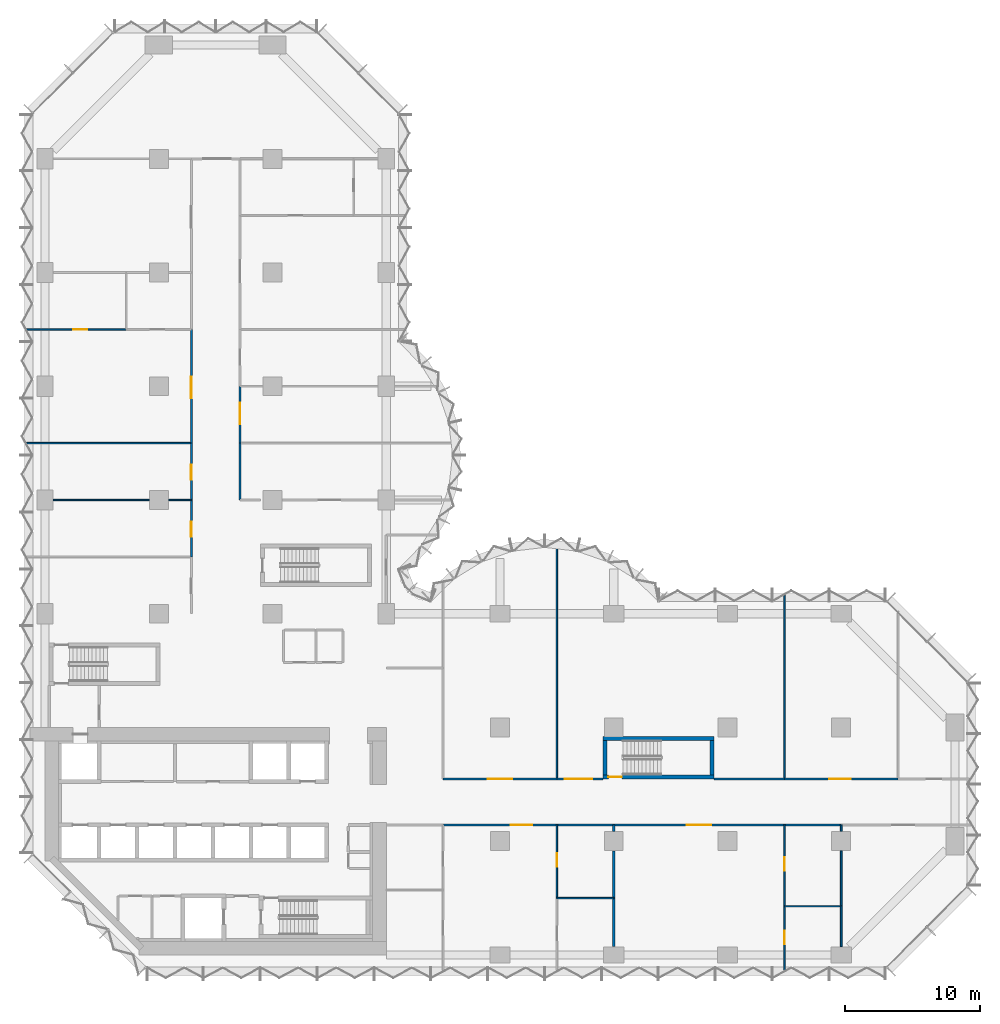
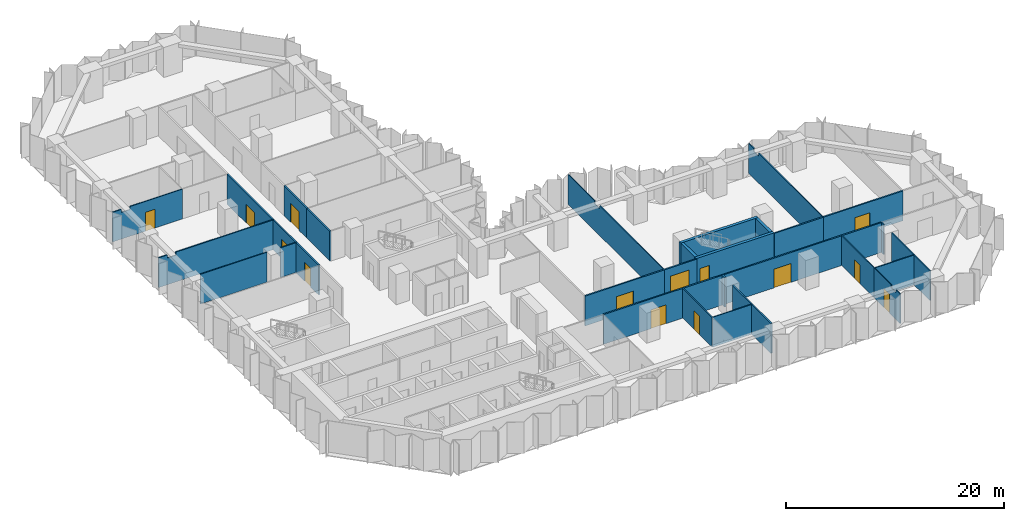
# One storey, part 10 of 15: 34 walls, 14 doors, 14 openings.
"""IFC4 building model written with IfcOpenShell, lengths in metres."""

import ifcopenshell
import ifcopenshell.guid

model = None  # the IFC model being written
_history = None  # IfcOwnerHistory: only IFC2X3 demands one
_inside = {}  # id of a spatial element -> (the spatial element, [elements in it])
_under = {}  # id of a project, library or spatial element -> (it, [spatial elements below it])
_declared = {}  # id of a project -> (the project, [libraries it declares])
_typed = {}  # id of a type object -> (the type object, [elements of that type])
_made_of = {}  # id of a material, layer set ... -> (it, [elements and type objects made of it])


def new_model(schema):
    """Start an empty IFC model of exactly this schema.

    Asked for "IFC4X3", IfcOpenShell would pick the latest addendum, in which some entities
    have other attributes; the version numbers below select the first issue.
    IFC2X3 requires an IfcOwnerHistory on every rooted entity: one is made here for all.
    """
    global model, _history
    if schema == "IFC4X3":
        model = ifcopenshell.file(schema_version=(4, 3, 0, 0))
    else:
        model = ifcopenshell.file(schema=schema)
    _inside.clear()
    _under.clear()
    _declared.clear()
    _typed.clear()
    _made_of.clear()
    _history = None
    if model.schema == "IFC2X3":
        org = make("IfcOrganization", Name="unknown")
        user = make(
            "IfcPersonAndOrganization",
            ThePerson=make("IfcPerson", FamilyName="unknown"),
            TheOrganization=org,
        )
        app = make(
            "IfcApplication",
            ApplicationDeveloper=org,
            Version="unknown",
            ApplicationFullName="unknown",
            ApplicationIdentifier="unknown",
        )
        _history = make(
            "IfcOwnerHistory",
            OwningUser=user,
            OwningApplication=app,
            ChangeAction="ADDED",
            CreationDate=0,
        )
    return model


def make(cls, **values):
    """One entity of the class cls with the attributes given. An attribute that is None is left unset."""
    return model.create_entity(
        cls, **{name: value for name, value in values.items() if value is not None}
    )


def rooted(cls, **values):
    """An entity with a GlobalId (a new one), such as an element, a storey or a relation."""
    return make(cls, GlobalId=ifcopenshell.guid.new(), OwnerHistory=_history, **values)


def si_unit(unit_type, name, prefix=None):
    """IfcSIUnit, for example si_unit("LENGTHUNIT", "METRE", prefix="MILLI")."""
    return make("IfcSIUnit", UnitType=unit_type, Prefix=prefix, Name=name)


def assignment(units):
    """IfcUnitAssignment: the units of a project."""
    return None if units is None else make("IfcUnitAssignment", Units=units)


def point(xyz):
    """IfcCartesianPoint."""
    return None if xyz is None else make("IfcCartesianPoint", Coordinates=xyz)


def direction(xyz):
    """IfcDirection."""
    return None if xyz is None else make("IfcDirection", DirectionRatios=xyz)


def frame(location, z_axis=None, x_axis=None):
    """IfcAxis2Placement3D, a coordinate frame: its origin and axes. An axis left out is left unset."""
    return make(
        "IfcAxis2Placement3D",
        Location=point(location),
        Axis=direction(z_axis),
        RefDirection=direction(x_axis),
    )


def frame_2d(location, x_axis=None):
    """IfcAxis2Placement2D, a coordinate frame in the plane: its origin and x axis."""
    return make(
        "IfcAxis2Placement2D", Location=point(location), RefDirection=direction(x_axis)
    )


def origin():
    """The frame at (0, 0, 0) with its axes left unset."""
    return frame((0.0, 0.0, 0.0))


def place(relative_to, where):
    """IfcLocalPlacement: puts the frame where relative to a parent placement (None: the world)."""
    return make(
        "IfcLocalPlacement", PlacementRelTo=relative_to, RelativePlacement=where
    )


def context(
    kind, dimensions, precision=None, world=None, true_north=None, identifier=None
):
    """IfcGeometricRepresentationContext, for example the 3D "Model" context."""
    return make(
        "IfcGeometricRepresentationContext",
        ContextIdentifier=identifier,
        ContextType=kind,
        CoordinateSpaceDimension=dimensions,
        Precision=precision,
        WorldCoordinateSystem=world,
        TrueNorth=true_north,
    )


def subcontext(parent, identifier, kind, view, scale=None):
    """IfcGeometricRepresentationSubContext, for example "Body" below "Model"."""
    return make(
        "IfcGeometricRepresentationSubContext",
        ContextIdentifier=identifier,
        ContextType=kind,
        ParentContext=parent,
        TargetScale=scale,
        TargetView=view,
    )


def project(units=None, contexts=None):
    """IfcProject with its units and contexts."""
    return rooted(
        "IfcProject",
        Name="project",
        RepresentationContexts=contexts,
        UnitsInContext=assignment(units),
    )


def spatial(cls, under=None, at=None, **own):
    """A site, building, storey or space (cls), placed at a placement, below another one or the project."""
    s = rooted(cls, ObjectPlacement=at, **own)
    if under is not None:
        _under.setdefault(under.id(), (under, []))[1].append(s)
    return s


def polyline(points):
    """IfcPolyline through the points."""
    return make("IfcPolyline", Points=[point(p) for p in points])


def profile(cls, at=None, kind="AREA", **sizes):
    """A parametric profile (cls). Its sizes go by their IFC names, for example OverallWidth=200.0."""
    return make(cls, ProfileType=kind, Position=at, **sizes)


def rectangle(**sizes):
    """IfcRectangleProfileDef."""
    return profile("IfcRectangleProfileDef", **sizes)


def outline(outer, holes=None, kind="AREA"):
    """IfcArbitraryClosedProfileDef: a profile drawn as a closed curve; with holes, ...WithVoids."""
    if holes is None:
        return make("IfcArbitraryClosedProfileDef", ProfileType=kind, OuterCurve=outer)
    return make(
        "IfcArbitraryProfileDefWithVoids",
        ProfileType=kind,
        OuterCurve=outer,
        InnerCurves=holes,
    )


def extrude(swept, where, along, depth):
    """IfcExtrudedAreaSolid: the profile swept, set in the frame where, extruded along a direction by depth."""
    return make(
        "IfcExtrudedAreaSolid",
        SweptArea=swept,
        Position=where,
        ExtrudedDirection=direction(along),
        Depth=depth,
    )


def shape(context_of_items, identifier, shape_type, items):
    """IfcShapeRepresentation: the items that make up one representation, for example the "Body"."""
    return make(
        "IfcShapeRepresentation",
        ContextOfItems=context_of_items,
        RepresentationIdentifier=identifier,
        RepresentationType=shape_type,
        Items=items,
    )


def material(Name=None, Category=None):
    """IfcMaterial."""
    return make("IfcMaterial", Name=Name, Category=Category)


def layer(
    of_material, thickness, ventilated=None, Name=None, Category=None, Priority=None
):
    """IfcMaterialLayer: one layer of a wall or slab, of a material (None: an air gap)."""
    return make(
        "IfcMaterialLayer",
        Material=of_material,
        LayerThickness=thickness,
        IsVentilated=ventilated,
        Name=Name,
        Category=Category,
        Priority=Priority,
    )


def layer_set(layers, Name=None):
    """IfcMaterialLayerSet."""
    return make("IfcMaterialLayerSet", MaterialLayers=layers, LayerSetName=Name)


def made_of(thing, what):
    """Note that an element or type object is made of a material, layer set ...; save() writes the relation."""
    if what is not None:
        _made_of.setdefault(what.id(), (what, []))[1].append(thing)
    return thing


def type_object(cls, material=None, **own):
    """A type object (cls), such as IfcWallType, which elements share."""
    return made_of(rooted(cls, **own), material)


def element(
    cls,
    number,
    at=None,
    inside=None,
    cuts=None,
    type_object=None,
    material=None,
    context=None,
    identifier="Body",
    shape_type=None,
    held_by="IfcProductDefinitionShape",
    body=None,
    shapes=None,
    **own,
):
    """One element of the class cls, such as IfcWall. Its Tag is "e" and its number.

    at: its placement. inside: the storey or other place that contains it. cuts: it is an
    opening in that element (IfcRelVoidsElement). A single representation is given by context,
    identifier, shape_type and body (its items); several are given by shapes. held_by: the class
    of the entity that holds the representations. save() writes the other relations.
    """
    e = rooted(cls, Tag="e%d" % number, ObjectPlacement=at, **own)
    if body is not None:
        shapes = [shape(context, identifier, shape_type, body)]
    if shapes is not None:
        e.Representation = make(held_by, Representations=shapes)
    if inside is not None:
        _inside.setdefault(inside.id(), (inside, []))[1].append(e)
    if cuts is not None:
        rooted(
            "IfcRelVoidsElement", RelatingBuildingElement=cuts, RelatedOpeningElement=e
        )
    if type_object is not None:
        _typed.setdefault(type_object.id(), (type_object, []))[1].append(e)
    return made_of(e, material)


def fill(opening, filler):
    """IfcRelFillsElement: the door or window that sits in an opening."""
    return rooted(
        "IfcRelFillsElement",
        RelatingOpeningElement=opening,
        RelatedBuildingElement=filler,
    )


def aggregate(whole, parts):
    """IfcRelAggregates: a whole, such as a stair, and the parts it consists of."""
    return rooted("IfcRelAggregates", RelatingObject=whole, RelatedObjects=parts)


def save(model, path):
    """Write the relations noted so far, then the file.

    IfcRelAggregates (storeys below a building ...), IfcRelContainedInSpatialStructure (elements
    in a storey), IfcRelDefinesByType, IfcRelAssociatesMaterial and IfcRelDeclares: one each for
    every whole, place, type object, material and project.
    """
    for whole, parts in _under.values():
        aggregate(whole, parts)
    for where, things in _inside.values():
        rooted(
            "IfcRelContainedInSpatialStructure",
            RelatedElements=things,
            RelatingStructure=where,
        )
    for kind, things in _typed.values():
        rooted("IfcRelDefinesByType", RelatedObjects=things, RelatingType=kind)
    for what, things in _made_of.values():
        rooted("IfcRelAssociatesMaterial", RelatedObjects=things, RelatingMaterial=what)
    for by, libraries in _declared.values():
        rooted("IfcRelDeclares", RelatingContext=by, RelatedDefinitions=libraries)
    model.write(path)


model = new_model("IFC4")

# Units and contexts
model_context = context("Model", 3, precision=1e-05, world=origin(), true_north=direction((0.0, 1.0)))
body_context = subcontext(model_context, "Body", "Model", "MODEL_VIEW")
ifc_project = project(units=[si_unit("LENGTHUNIT", "METRE"), si_unit("AREAUNIT", "SQUARE_METRE"), si_unit("VOLUMEUNIT", "CUBIC_METRE"), si_unit("PLANEANGLEUNIT", "RADIAN"), si_unit("MASSUNIT", "GRAM", prefix="KILO")], contexts=[model_context])

# Site, building, storey
site_placement = place(None, origin())
site = spatial("IfcSite", under=ifc_project, at=site_placement, CompositionType="ELEMENT")
building_placement = place(site_placement, origin())
building = spatial("IfcBuilding", under=site, at=building_placement, Name="Brevane Broadcast Tower", CompositionType="ELEMENT")
storey_placement = place(building_placement, frame((0.0, 0.0, 54.5)))
storey = spatial("IfcBuildingStorey", under=building, at=storey_placement, Name="L11", CompositionType="ELEMENT", Elevation=54.5)

# Wall, opening, door
ifc_material_1 = material(Name="Concrete C80/95", Category="concrete")
ifc_layer_1 = layer(ifc_material_1, 0.300048828125)
ifc_layer_set_1 = layer_set([ifc_layer_1], Name="Core wall 300 mm C80/95")
wall_type_1 = type_object("IfcWallType", Name="Core wall 300 mm C80/95", PredefinedType="SHEAR", material=ifc_layer_set_1)
wall_1_placement = place(storey_placement, frame((49.39990234375, 13.14990234375, 0.0), z_axis=(0.0, 0.0, 1.0), x_axis=(-1.0, 0.0, 0.0)))
wall_1 = element("IfcWall", 1, at=wall_1_placement, inside=storey, type_object=wall_type_1, Name="L11 stair wall ST-4-S", PredefinedType="SHEAR", context=body_context, shape_type="SweptSolid", body=[
    extrude(rectangle(XDim=8.199951171875, YDim=0.300048828125, at=frame_2d((4.10009765625, 0.0))), origin(), (0.0, 0.0, 1.0), 3.35009765625),
])
opening_1_placement = place(wall_1_placement, frame((6.800048828125, 0.0, 0.0)))
opening_1 = element("IfcOpeningElement", 2, at=opening_1_placement, cuts=wall_1, Name="Opening L11-K15", PredefinedType="OPENING", context=body_context, shape_type="SweptSolid", body=[
    extrude(rectangle(XDim=1.0, YDim=2.10009765625, at=frame_2d((0.5, 1.050048828125))), frame((0.0, 0.159912109375, 0.0), z_axis=(0.0, -1.0, 0.0), x_axis=(1.0, 0.0, 0.0)), (0.0, 0.0, 1.0), 0.320068359375),
])
ifc_material_2 = material(Name="Steel", Category="steel")
door_type_1 = type_object("IfcDoorType", Name="Stair door 1000 x 2100", OperationType="SINGLE_SWING_LEFT", PredefinedType="DOOR", material=ifc_material_2)
door_1_placement = place(opening_1_placement, origin())
door_1 = element("IfcDoor", 3, at=door_1_placement, inside=storey, type_object=door_type_1, Name="Door L11-K15", OperationType="SINGLE_SWING_RIGHT", OverallHeight=2.10009765625, OverallWidth=1.0, PredefinedType="DOOR", context=body_context, shape_type="SweptSolid", body=[
    extrude(rectangle(XDim=1.0, YDim=2.10009765625, at=frame_2d((0.5, 1.050048828125))), frame((0.0, 0.02490234375, 0.0), z_axis=(0.0, -1.0, 0.0), x_axis=(1.0, 0.0, 0.0)), (0.0, 0.0, 1.0), 0.050048828125),
])
fill(opening_1, door_1)

# Walls
wall_2_placement = place(storey_placement, frame((41.199951171875, 16.0, 0.0), z_axis=(0.0, 0.0, 1.0), x_axis=(1.0, 0.0, 0.0)))
element("IfcWall", 4, at=wall_2_placement, inside=storey, type_object=wall_type_1, Name="L11 stair wall ST-4-N", PredefinedType="SHEAR", context=body_context, shape_type="SweptSolid", body=[
    extrude(rectangle(XDim=8.199951171875, YDim=0.300048828125, at=frame_2d((4.10009765625, 0.0))), origin(), (0.0, 0.0, 1.0), 3.35009765625),
])
for number, where, z_axis, x_axis, name in (
    (5, (41.35009765625, 13.300048828125, 0.0), (0.0, 0.0, 1.0), (0.0, 1.0, 0.0), "L11 stair wall ST-4-W"),
    (6, (49.25, 13.300048828125, 0.0), (0.0, 0.0, 1.0), (0.0, 1.0, 0.0), "L11 stair wall ST-4-E"),
):
    element("IfcWall", number, at=place(storey_placement, frame(where, z_axis=z_axis, x_axis=x_axis)), inside=storey, type_object=wall_type_1, Name=name, PredefinedType="SHEAR", context=body_context, shape_type="SweptSolid", body=[
        extrude(rectangle(XDim=2.550048828125, YDim=0.300048828125, at=frame_2d((1.27490234375, 0.0))), origin(), (0.0, 0.0, 1.0), 3.35009765625),
    ])

# Wall, opening, door
ifc_material_3 = material(Name="Gypsum board partition")
ifc_layer_2 = layer(ifc_material_3, 0.10009765625)
ifc_layer_set_2 = layer_set([ifc_layer_2], Name="PARTITION 100 STUD")
wall_type_2 = type_object("IfcWallType", Name="PARTITION 100 STUD", PredefinedType="PARTITIONING", material=ifc_layer_set_2)
wall_3_placement = place(storey_placement, frame((37.800048828125, 9.60009765625, 0.0), z_axis=(0.0, 0.0, 1.0), x_axis=(0.0, -1.0, 0.0)))
wall_3 = element("IfcWall", 7, at=wall_3_placement, inside=storey, type_object=wall_type_2, Name="Partition G02-018", PredefinedType="PARTITIONING", context=body_context, shape_type="SweptSolid", body=[
    extrude(rectangle(XDim=5.400146484375, YDim=0.10009765625, at=frame_2d((2.7001953125, 0.0))), origin(), (0.0, 0.0, 1.0), 3.330078125),
])
opening_2_placement = place(wall_3_placement, frame((2.10009765625, 0.0, 0.0)))
opening_2 = element("IfcOpeningElement", 8, at=opening_2_placement, cuts=wall_3, Name="Opening D08-004", PredefinedType="OPENING", context=body_context, shape_type="SweptSolid", body=[
    extrude(rectangle(XDim=1.0, YDim=2.10009765625, at=frame_2d((0.5, 1.050048828125))), frame((0.0, 0.06005859375, 0.0), z_axis=(0.0, -1.0, 0.0), x_axis=(1.0, 0.0, 0.0)), (0.0, 0.0, 1.0), 0.1201171875),
])
ifc_material_4 = material(Name="Timber door leaf", Category="wood")
door_type_2 = type_object("IfcDoorType", Name="DOOR SINGLE 1000 INTERNAL", OperationType="SINGLE_SWING_LEFT", PredefinedType="DOOR", material=ifc_material_4)
door_2_placement = place(opening_2_placement, origin())
door_2 = element("IfcDoor", 9, at=door_2_placement, inside=storey, type_object=door_type_2, Name="Door D08-004", OperationType="SINGLE_SWING_LEFT", OverallHeight=2.10009765625, OverallWidth=1.0, PredefinedType="DOOR", context=body_context, shape_type="SweptSolid", body=[
    extrude(rectangle(XDim=1.0, YDim=2.10009765625, at=frame_2d((0.5, 1.050048828125))), frame((0.0, 0.02490234375, 0.0), z_axis=(0.0, -1.0, 0.0), x_axis=(1.0, 0.0, 0.0)), (0.0, 0.0, 1.0), 0.050048828125),
])
fill(opening_2, door_2)

# Wall
wall_4_placement = place(storey_placement, frame((37.800048828125, 4.199951171875, 0.0), z_axis=(0.0, 0.0, 1.0), x_axis=(1.0, 0.0, 0.0)))
element("IfcWall", 10, at=wall_4_placement, inside=storey, type_object=wall_type_2, Name="Partition G02-021", PredefinedType="PARTITIONING", context=body_context, shape_type="SweptSolid", body=[
    extrude(rectangle(XDim=4.199951171875, YDim=0.10009765625, at=frame_2d((2.10009765625, 0.0))), origin(), (0.0, 0.0, 1.0), 3.330078125),
])

# Wall, opening, door
wall_5_placement = place(storey_placement, frame((54.60009765625, 3.60009765625, 0.0), z_axis=(0.0, 0.0, 1.0), x_axis=(0.0, -1.0, 0.0)))
wall_5 = element("IfcWall", 11, at=wall_5_placement, inside=storey, type_object=wall_type_2, Name="Partition G02-026", PredefinedType="PARTITIONING", context=body_context, shape_type="SweptSolid", body=[
    extrude(outline(polyline([(0.0, 0.0), (4.774169921875, 0.0), (4.77392578125, 3.330078125), (4.699951171875, 3.330078125), (4.050048828125, 3.330078125), (4.048095703125, 2.97998046875), (3.152099609375, 2.97998046875), (3.14990234375, 3.330078125), (0.0, 3.330078125), (0.0, 0.0)])), frame((0.0, 0.050048828125, 0.0), z_axis=(0.0, -1.0, 0.0), x_axis=(1.0, 0.0, 0.0)), (0.0, 0.0, 1.0), 0.10009765625),
])
opening_3_placement = place(wall_5_placement, frame((1.800048828125, 0.0, 0.0)))
opening_3 = element("IfcOpeningElement", 12, at=opening_3_placement, cuts=wall_5, Name="Opening D08-008", PredefinedType="OPENING", context=body_context, shape_type="SweptSolid", body=[
    extrude(rectangle(XDim=1.0, YDim=2.10009765625, at=frame_2d((0.5, 1.050048828125))), frame((0.0, 0.06005859375, 0.0), z_axis=(0.0, -1.0, 0.0), x_axis=(1.0, 0.0, 0.0)), (0.0, 0.0, 1.0), 0.1201171875),
])
door_3_placement = place(opening_3_placement, origin())
door_3 = element("IfcDoor", 13, at=door_3_placement, inside=storey, type_object=door_type_2, Name="Door D08-008", OperationType="SINGLE_SWING_LEFT", OverallHeight=2.10009765625, OverallWidth=1.0, PredefinedType="DOOR", context=body_context, shape_type="SweptSolid", body=[
    extrude(rectangle(XDim=1.0, YDim=2.10009765625, at=frame_2d((0.5, 1.050048828125))), frame((0.0, 0.02490234375, 0.0), z_axis=(0.0, -1.0, 0.0), x_axis=(1.0, 0.0, 0.0)), (0.0, 0.0, 1.0), 0.050048828125),
])
fill(opening_3, door_3)

wall_6_placement = place(storey_placement, frame((54.60009765625, 9.60009765625, 0.0), z_axis=(0.0, 0.0, 1.0), x_axis=(0.0, -1.0, 0.0)))
wall_6 = element("IfcWall", 14, at=wall_6_placement, inside=storey, type_object=wall_type_2, Name="Partition G02-027", PredefinedType="PARTITIONING", context=body_context, shape_type="SweptSolid", body=[
    extrude(rectangle(XDim=6.0, YDim=0.10009765625, at=frame_2d((3.0, 0.0))), origin(), (0.0, 0.0, 1.0), 3.330078125),
])
opening_4_placement = place(wall_6_placement, frame((2.39990234375, 0.0, 0.0)))
opening_4 = element("IfcOpeningElement", 15, at=opening_4_placement, cuts=wall_6, Name="Opening D08-009", PredefinedType="OPENING", context=body_context, shape_type="SweptSolid", body=[
    extrude(rectangle(XDim=1.0, YDim=2.10009765625, at=frame_2d((0.5, 1.050048828125))), frame((0.0, 0.06005859375, 0.0), z_axis=(0.0, -1.0, 0.0), x_axis=(1.0, 0.0, 0.0)), (0.0, 0.0, 1.0), 0.1201171875),
])
door_4_placement = place(opening_4_placement, origin())
door_4 = element("IfcDoor", 16, at=door_4_placement, inside=storey, type_object=door_type_2, Name="Door D08-009", OperationType="SINGLE_SWING_LEFT", OverallHeight=2.10009765625, OverallWidth=1.0, PredefinedType="DOOR", context=body_context, shape_type="SweptSolid", body=[
    extrude(rectangle(XDim=1.0, YDim=2.10009765625, at=frame_2d((0.5, 1.050048828125))), frame((0.0, 0.02490234375, 0.0), z_axis=(0.0, -1.0, 0.0), x_axis=(1.0, 0.0, 0.0)), (0.0, 0.0, 1.0), 0.050048828125),
])
fill(opening_4, door_4)

# Walls
wall_7_placement = place(storey_placement, frame((54.60009765625, 3.60009765625, 0.0), z_axis=(0.0, 0.0, 1.0), x_axis=(1.0, 0.0, 0.0)))
element("IfcWall", 17, at=wall_7_placement, inside=storey, type_object=wall_type_2, Name="Partition G02-028", PredefinedType="PARTITIONING", context=body_context, shape_type="SweptSolid", body=[
    extrude(rectangle(XDim=4.199951171875, YDim=0.10009765625, at=frame_2d((2.10009765625, 0.0))), origin(), (0.0, 0.0, 1.0), 3.330078125),
])
wall_8_placement = place(storey_placement, frame((37.800048828125, 30.52587890625, 0.0), z_axis=(0.0, 0.0, 1.0), x_axis=(0.0, -1.0, 0.0)))
element("IfcWall", 18, at=wall_8_placement, inside=storey, type_object=wall_type_2, Name="Partition G02-032", PredefinedType="PARTITIONING", context=body_context, shape_type="SweptSolid", body=[
    extrude(outline(polyline([(0.0, 0.0), (17.52587890625, 0.0), (17.52587890625, 3.330078125), (5.77587890625, 3.330078125), (5.77392578125, 2.97998046875), (4.8779296875, 2.97998046875), (4.8759765625, 3.330078125), (0.283203125, 3.330078125), (0.0, 3.330078125), (0.0, 0.0)])), frame((0.0, 0.050048828125, 0.0), z_axis=(0.0, -1.0, 0.0), x_axis=(1.0, 0.0, 0.0)), (0.0, 0.0, 1.0), 0.10009765625),
])
wall_9_placement = place(storey_placement, frame((54.60009765625, 26.56494140625, 0.0), z_axis=(0.0, 0.0, 1.0), x_axis=(0.0, -1.0, 0.0)))
element("IfcWall", 19, at=wall_9_placement, inside=storey, type_object=wall_type_2, Name="Partition G02-033", PredefinedType="PARTITIONING", context=body_context, shape_type="SweptSolid", body=[
    extrude(outline(polyline([(0.0, 0.0), (13.56494140625, 0.0), (13.56494140625, 3.330078125), (1.81494140625, 3.330078125), (1.81298828125, 2.97998046875), (0.9169921875, 2.97998046875), (0.9150390625, 3.330078125), (0.264892578125, 3.330078125), (0.0, 3.330078125), (0.0, 0.0)])), frame((0.0, 0.050048828125, 0.0), z_axis=(0.0, -1.0, 0.0), x_axis=(1.0, 0.0, 0.0)), (0.0, 0.0, 1.0), 0.10009765625),
])
wall_10_placement = place(storey_placement, frame((0.6201171875, 33.60009765625, 0.0), z_axis=(0.0, 0.0, 1.0), x_axis=(1.0, 0.0, 0.0)))
element("IfcWall", 20, at=wall_10_placement, inside=storey, type_object=wall_type_2, Name="Partition G02-056", PredefinedType="PARTITIONING", context=body_context, shape_type="SweptSolid", body=[
    extrude(rectangle(XDim=7.059814453125, YDim=0.10009765625, at=frame_2d((3.52978515625, 0.0))), origin(), (0.0, 0.0, 1.0), 3.330078125),
])
wall_11_placement = place(storey_placement, frame((9.1201171875, 33.60009765625, 0.0), z_axis=(0.0, 0.0, 1.0), x_axis=(1.0, 0.0, 0.0)))
element("IfcWall", 21, at=wall_11_placement, inside=storey, type_object=wall_type_2, Name="Partition G02-057", PredefinedType="PARTITIONING", context=body_context, shape_type="SweptSolid", body=[
    extrude(rectangle(XDim=1.679931640625, YDim=0.10009765625, at=frame_2d((0.83984375, 0.0))), origin(), (0.0, 0.0, 1.0), 3.330078125),
])

# Wall, opening, door
wall_12_placement = place(storey_placement, frame((-1.364990234375, 46.199951171875, 0.0), z_axis=(0.0, 0.0, 1.0), x_axis=(1.0, 0.0, 0.0)))
wall_12 = element("IfcWall", 22, at=wall_12_placement, inside=storey, type_object=wall_type_2, Name="Partition G02-059", PredefinedType="PARTITIONING", context=body_context, shape_type="SweptSolid", body=[
    extrude(outline(polyline([(0.0, 0.0), (7.364990234375, 0.0), (7.364990234375, 3.330078125), (1.81494140625, 3.330078125), (1.81298828125, 2.97998046875), (0.9169921875, 2.97998046875), (0.9150390625, 3.330078125), (0.264892578125, 3.330078125), (0.0, 3.330078125), (0.0, 0.0)])), frame((0.0, 0.050048828125, 0.0), z_axis=(0.0, -1.0, 0.0), x_axis=(1.0, 0.0, 0.0)), (0.0, 0.0, 1.0), 0.10009765625),
])
opening_5_placement = place(wall_12_placement, frame((3.465087890625, 0.0, 0.0)))
opening_5 = element("IfcOpeningElement", 23, at=opening_5_placement, cuts=wall_12, Name="Opening D08-020", PredefinedType="OPENING", context=body_context, shape_type="SweptSolid", body=[
    extrude(rectangle(XDim=1.0, YDim=2.10009765625, at=frame_2d((0.5, 1.050048828125))), frame((0.0, 0.06005859375, 0.0), z_axis=(0.0, -1.0, 0.0), x_axis=(1.0, 0.0, 0.0)), (0.0, 0.0, 1.0), 0.1201171875),
])
door_5_placement = place(opening_5_placement, origin())
door_5 = element("IfcDoor", 24, at=door_5_placement, inside=storey, type_object=door_type_2, Name="Door D08-020", OperationType="SINGLE_SWING_LEFT", OverallHeight=2.10009765625, OverallWidth=1.0, PredefinedType="DOOR", context=body_context, shape_type="SweptSolid", body=[
    extrude(rectangle(XDim=1.0, YDim=2.10009765625, at=frame_2d((0.5, 1.050048828125))), frame((0.0, 0.02490234375, 0.0), z_axis=(0.0, -1.0, 0.0), x_axis=(1.0, 0.0, 0.0)), (0.0, 0.0, 1.0), 0.050048828125),
])
fill(opening_5, door_5)

# Walls
ifc_layer_3 = layer(ifc_material_3, 0.125)
ifc_layer_set_3 = layer_set([ifc_layer_3], Name="PARTITION 125 ACOUSTIC")
wall_type_3 = type_object("IfcWallType", Name="PARTITION 125 ACOUSTIC", PredefinedType="PARTITIONING", material=ifc_layer_set_3)
wall_13_placement = place(storey_placement, frame((58.800048828125, 3.60009765625, 0.0), z_axis=(0.0, 0.0, 1.0), x_axis=(0.0, -1.0, 0.0)))
element("IfcWall", 25, at=wall_13_placement, inside=storey, type_object=wall_type_3, Name="Partition G02-029", PredefinedType="PARTITIONING", context=body_context, shape_type="SweptSolid", body=[
    extrude(rectangle(XDim=2.97998046875, YDim=0.125, at=frame_2d((1.489990234375, 0.0))), origin(), (0.0, 0.0, 1.0), 3.330078125),
])
wall_14_placement = place(storey_placement, frame((58.800048828125, 9.60009765625, 0.0), z_axis=(0.0, 0.0, 1.0), x_axis=(0.0, -1.0, 0.0)))
element("IfcWall", 26, at=wall_14_placement, inside=storey, type_object=wall_type_3, Name="Partition G02-030", PredefinedType="PARTITIONING", context=body_context, shape_type="SweptSolid", body=[
    extrude(rectangle(XDim=0.47998046875, YDim=0.125, at=frame_2d((0.239990234375, 0.0))), origin(), (0.0, 0.0, 1.0), 3.330078125),
])
wall_15_placement = place(storey_placement, frame((58.800048828125, 7.679931640625, 0.0), z_axis=(0.0, 0.0, 1.0), x_axis=(0.0, -1.0, 0.0)))
element("IfcWall", 27, at=wall_15_placement, inside=storey, type_object=wall_type_3, Name="Partition G02-031", PredefinedType="PARTITIONING", context=body_context, shape_type="SweptSolid", body=[
    extrude(rectangle(XDim=4.079833984375, YDim=0.125, at=frame_2d((2.0400390625, 0.0))), origin(), (0.0, 0.0, 1.0), 3.330078125),
])
wall_16_placement = place(storey_placement, frame((-1.364990234375, 37.800048828125, 0.0), z_axis=(0.0, 0.0, 1.0), x_axis=(1.0, 0.0, 0.0)))
element("IfcWall", 28, at=wall_16_placement, inside=storey, type_object=wall_type_3, Name="Partition G02-058", PredefinedType="PARTITIONING", context=body_context, shape_type="SweptSolid", body=[
    extrude(outline(polyline([(0.0, 0.0), (12.1650390625, 0.0), (12.1650390625, 3.330078125), (1.81494140625, 3.330078125), (1.81298828125, 2.97998046875), (0.9169921875, 2.97998046875), (0.9150390625, 3.330078125), (0.264892578125, 3.330078125), (0.0, 3.330078125), (0.0, 0.0)])), frame((0.0, 0.0625, 0.0), z_axis=(0.0, -1.0, 0.0), x_axis=(1.0, 0.0, 0.0)), (0.0, 0.0, 1.0), 0.125),
])

# Wall, opening, door
ifc_layer_4 = layer(ifc_material_3, 0.14990234375)
ifc_layer_set_4 = layer_set([ifc_layer_4], Name="PARTITION 150 EI 60")
wall_type_4 = type_object("IfcWallType", Name="PARTITION 150 EI 60", PredefinedType="PARTITIONING", material=ifc_layer_set_4)
wall_17_placement = place(storey_placement, frame((37.800048828125, 9.60009765625, 0.0), z_axis=(0.0, 0.0, 1.0), x_axis=(-1.0, 0.0, 0.0)))
wall_17 = element("IfcWall", 29, at=wall_17_placement, inside=storey, type_object=wall_type_4, Name="Partition G02-007", PredefinedType="PARTITIONING", context=body_context, shape_type="SweptSolid", body=[
    extrude(rectangle(XDim=8.400146484375, YDim=0.14990234375, at=frame_2d((4.2001953125, 0.0))), origin(), (0.0, 0.0, 1.0), 3.330078125),
])
opening_6_placement = place(wall_17_placement, frame((1.800048828125, 0.0, 0.0)))
opening_6 = element("IfcOpeningElement", 30, at=opening_6_placement, cuts=wall_17, Name="Opening D08-002", PredefinedType="OPENING", context=body_context, shape_type="SweptSolid", body=[
    extrude(rectangle(XDim=1.60009765625, YDim=2.10009765625, at=frame_2d((0.800048828125, 1.050048828125))), frame((0.0, 0.0849609375, 0.0), z_axis=(0.0, -1.0, 0.0), x_axis=(1.0, 0.0, 0.0)), (0.0, 0.0, 1.0), 0.169921875),
])
ifc_material_5 = material(Name="Fire-rated timber door leaf", Category="wood")
door_type_3 = type_object("IfcDoorType", Name="DOOR DOUBLE 1600 FD30S", OperationType="DOUBLE_DOOR_SINGLE_SWING", PredefinedType="DOOR", material=ifc_material_5)
door_6_placement = place(opening_6_placement, origin())
door_6 = element("IfcDoor", 31, at=door_6_placement, inside=storey, type_object=door_type_3, Name="Door D08-002", OperationType="DOUBLE_DOOR_SINGLE_SWING", OverallHeight=2.10009765625, OverallWidth=1.60009765625, PredefinedType="DOOR", context=body_context, shape_type="SweptSolid", body=[
    extrude(rectangle(XDim=1.60009765625, YDim=2.10009765625, at=frame_2d((0.800048828125, 1.050048828125))), frame((0.0, 0.02490234375, 0.0), z_axis=(0.0, -1.0, 0.0), x_axis=(1.0, 0.0, 0.0)), (0.0, 0.0, 1.0), 0.050048828125),
])
fill(opening_6, door_6)

# Wall
wall_18_placement = place(storey_placement, frame((42.0, 9.60009765625, 0.0), z_axis=(0.0, 0.0, 1.0), x_axis=(-1.0, 0.0, 0.0)))
element("IfcWall", 32, at=wall_18_placement, inside=storey, type_object=wall_type_4, Name="Partition G02-008", PredefinedType="PARTITIONING", context=body_context, shape_type="SweptSolid", body=[
    extrude(rectangle(XDim=4.199951171875, YDim=0.14990234375, at=frame_2d((2.10009765625, 0.0))), origin(), (0.0, 0.0, 1.0), 3.330078125),
])

# Wall, opening, door
wall_19_placement = place(storey_placement, frame((54.60009765625, 9.60009765625, 0.0), z_axis=(0.0, 0.0, 1.0), x_axis=(-1.0, 0.0, 0.0)))
wall_19 = element("IfcWall", 33, at=wall_19_placement, inside=storey, type_object=wall_type_4, Name="Partition G02-009", PredefinedType="PARTITIONING", context=body_context, shape_type="SweptSolid", body=[
    extrude(rectangle(XDim=12.60009765625, YDim=0.14990234375, at=frame_2d((6.300048828125, 0.0))), origin(), (0.0, 0.0, 1.0), 3.330078125),
])
opening_7_placement = place(wall_19_placement, frame((5.39990234375, 0.0, 0.0)))
opening_7 = element("IfcOpeningElement", 34, at=opening_7_placement, cuts=wall_19, Name="Opening D08-007", PredefinedType="OPENING", context=body_context, shape_type="SweptSolid", body=[
    extrude(rectangle(XDim=1.800048828125, YDim=2.10009765625, at=frame_2d((0.89990234375, 1.050048828125))), frame((0.0, 0.0849609375, 0.0), z_axis=(0.0, -1.0, 0.0), x_axis=(1.0, 0.0, 0.0)), (0.0, 0.0, 1.0), 0.169921875),
])
door_type_4 = type_object("IfcDoorType", Name="DOOR DOUBLE 1800 FD30S", OperationType="DOUBLE_DOOR_SINGLE_SWING", PredefinedType="DOOR", material=ifc_material_5)
door_7_placement = place(opening_7_placement, origin())
door_7 = element("IfcDoor", 35, at=door_7_placement, inside=storey, type_object=door_type_4, Name="Door D08-007", OperationType="DOUBLE_DOOR_SINGLE_SWING", OverallHeight=2.10009765625, OverallWidth=1.800048828125, PredefinedType="DOOR", context=body_context, shape_type="SweptSolid", body=[
    extrude(rectangle(XDim=1.800048828125, YDim=2.10009765625, at=frame_2d((0.89990234375, 1.050048828125))), frame((0.0, 0.02490234375, 0.0), z_axis=(0.0, -1.0, 0.0), x_axis=(1.0, 0.0, 0.0)), (0.0, 0.0, 1.0), 0.050048828125),
])
fill(opening_7, door_7)

# Wall
wall_20_placement = place(storey_placement, frame((58.800048828125, 9.60009765625, 0.0), z_axis=(0.0, 0.0, 1.0), x_axis=(-1.0, 0.0, 0.0)))
element("IfcWall", 36, at=wall_20_placement, inside=storey, type_object=wall_type_4, Name="Partition G02-010", PredefinedType="PARTITIONING", context=body_context, shape_type="SweptSolid", body=[
    extrude(rectangle(XDim=4.199951171875, YDim=0.14990234375, at=frame_2d((2.10009765625, 0.0))), origin(), (0.0, 0.0, 1.0), 3.330078125),
])

# Wall, opening, door
wall_21_placement = place(storey_placement, frame((29.39990234375, 13.0, 0.0), z_axis=(0.0, 0.0, 1.0), x_axis=(1.0, 0.0, 0.0)))
wall_21 = element("IfcWall", 37, at=wall_21_placement, inside=storey, type_object=wall_type_4, Name="Partition G02-012", PredefinedType="PARTITIONING", context=body_context, shape_type="SweptSolid", body=[
    extrude(rectangle(XDim=8.400146484375, YDim=0.14990234375, at=frame_2d((4.2001953125, 0.0))), origin(), (0.0, 0.0, 1.0), 3.330078125),
])
opening_8_placement = place(wall_21_placement, frame((3.300048828125, 0.0, 0.0)))
opening_8 = element("IfcOpeningElement", 38, at=opening_8_placement, cuts=wall_21, Name="Opening D08-011", PredefinedType="OPENING", context=body_context, shape_type="SweptSolid", body=[
    extrude(rectangle(XDim=1.800048828125, YDim=2.10009765625, at=frame_2d((0.89990234375, 1.050048828125))), frame((0.0, 0.0849609375, 0.0), z_axis=(0.0, -1.0, 0.0), x_axis=(1.0, 0.0, 0.0)), (0.0, 0.0, 1.0), 0.169921875),
])
door_8_placement = place(opening_8_placement, origin())
door_8 = element("IfcDoor", 39, at=door_8_placement, inside=storey, type_object=door_type_4, Name="Door D08-011", OperationType="DOUBLE_DOOR_SINGLE_SWING", OverallHeight=2.10009765625, OverallWidth=1.800048828125, PredefinedType="DOOR", context=body_context, shape_type="SweptSolid", body=[
    extrude(rectangle(XDim=1.800048828125, YDim=2.10009765625, at=frame_2d((0.89990234375, 1.050048828125))), frame((0.0, 0.02490234375, 0.0), z_axis=(0.0, -1.0, 0.0), x_axis=(1.0, 0.0, 0.0)), (0.0, 0.0, 1.0), 0.050048828125),
])
fill(opening_8, door_8)

wall_22_placement = place(storey_placement, frame((37.800048828125, 13.0, 0.0), z_axis=(0.0, 0.0, 1.0), x_axis=(1.0, 0.0, 0.0)))
wall_22 = element("IfcWall", 40, at=wall_22_placement, inside=storey, type_object=wall_type_4, Name="Partition G02-013", PredefinedType="PARTITIONING", context=body_context, shape_type="SweptSolid", body=[
    extrude(rectangle(XDim=3.39990234375, YDim=0.14990234375, at=frame_2d((1.699951171875, 0.0))), origin(), (0.0, 0.0, 1.0), 3.330078125),
])
opening_9_placement = place(wall_22_placement, frame((0.60009765625, 0.0, 0.0)))
opening_9 = element("IfcOpeningElement", 41, at=opening_9_placement, cuts=wall_22, Name="Opening D08-012", PredefinedType="OPENING", context=body_context, shape_type="SweptSolid", body=[
    extrude(rectangle(XDim=2.0, YDim=2.39990234375, at=frame_2d((1.0, 1.199951171875))), frame((0.0, 0.0849609375, 0.0), z_axis=(0.0, -1.0, 0.0), x_axis=(1.0, 0.0, 0.0)), (0.0, 0.0, 1.0), 0.169921875),
])
door_type_5 = type_object("IfcDoorType", Name="DOOR DOUBLE 2000 FD30S", OperationType="DOUBLE_DOOR_SINGLE_SWING", PredefinedType="DOOR", material=ifc_material_5)
door_9_placement = place(opening_9_placement, origin())
door_9 = element("IfcDoor", 42, at=door_9_placement, inside=storey, type_object=door_type_5, Name="Door D08-012", OperationType="DOUBLE_DOOR_SINGLE_SWING", OverallHeight=2.39990234375, OverallWidth=2.0, PredefinedType="DOOR", context=body_context, shape_type="SweptSolid", body=[
    extrude(rectangle(XDim=2.0, YDim=2.39990234375, at=frame_2d((1.0, 1.199951171875))), frame((0.0, 0.02490234375, 0.0), z_axis=(0.0, -1.0, 0.0), x_axis=(1.0, 0.0, 0.0)), (0.0, 0.0, 1.0), 0.050048828125),
])
fill(opening_9, door_9)

# Wall
wall_23_placement = place(storey_placement, frame((49.39990234375, 13.0, 0.0), z_axis=(0.0, 0.0, 1.0), x_axis=(1.0, 0.0, 0.0)))
element("IfcWall", 43, at=wall_23_placement, inside=storey, type_object=wall_type_4, Name="Partition G02-014", PredefinedType="PARTITIONING", context=body_context, shape_type="SweptSolid", body=[
    extrude(rectangle(XDim=5.2001953125, YDim=0.14990234375, at=frame_2d((2.60009765625, 0.0))), origin(), (0.0, 0.0, 1.0), 3.330078125),
])

# Wall, opening, door
wall_24_placement = place(storey_placement, frame((54.60009765625, 13.0, 0.0), z_axis=(0.0, 0.0, 1.0), x_axis=(1.0, 0.0, 0.0)))
wall_24 = element("IfcWall", 44, at=wall_24_placement, inside=storey, type_object=wall_type_4, Name="Partition G02-015", PredefinedType="PARTITIONING", context=body_context, shape_type="SweptSolid", body=[
    extrude(rectangle(XDim=8.39990234375, YDim=0.14990234375, at=frame_2d((4.199951171875, 0.0))), origin(), (0.0, 0.0, 1.0), 3.330078125),
])
opening_10_placement = place(wall_24_placement, frame((3.300048828125, 0.0, 0.0)))
opening_10 = element("IfcOpeningElement", 45, at=opening_10_placement, cuts=wall_24, Name="Opening D08-013", PredefinedType="OPENING", context=body_context, shape_type="SweptSolid", body=[
    extrude(rectangle(XDim=1.60009765625, YDim=2.10009765625, at=frame_2d((0.800048828125, 1.050048828125))), frame((0.0, 0.0849609375, 0.0), z_axis=(0.0, -1.0, 0.0), x_axis=(1.0, 0.0, 0.0)), (0.0, 0.0, 1.0), 0.169921875),
])
door_10_placement = place(opening_10_placement, origin())
door_10 = element("IfcDoor", 46, at=door_10_placement, inside=storey, type_object=door_type_3, Name="Door D08-013", OperationType="DOUBLE_DOOR_SINGLE_SWING", OverallHeight=2.10009765625, OverallWidth=1.60009765625, PredefinedType="DOOR", context=body_context, shape_type="SweptSolid", body=[
    extrude(rectangle(XDim=1.60009765625, YDim=2.10009765625, at=frame_2d((0.800048828125, 1.050048828125))), frame((0.0, 0.02490234375, 0.0), z_axis=(0.0, -1.0, 0.0), x_axis=(1.0, 0.0, 0.0)), (0.0, 0.0, 1.0), 0.050048828125),
])
fill(opening_10, door_10)

# Walls
wall_25_placement = place(storey_placement, frame((42.0, 4.199951171875, 0.0), z_axis=(0.0, 0.0, 1.0), x_axis=(0.0, -1.0, 0.0)))
element("IfcWall", 47, at=wall_25_placement, inside=storey, type_object=wall_type_4, Name="Partition G02-022", PredefinedType="PARTITIONING", context=body_context, shape_type="SweptSolid", body=[
    extrude(rectangle(XDim=3.579833984375, YDim=0.14990234375, at=frame_2d((1.7900390625, 0.0))), origin(), (0.0, 0.0, 1.0), 3.330078125),
])
wall_26_placement = place(storey_placement, frame((42.0, 9.60009765625, 0.0), z_axis=(0.0, 0.0, 1.0), x_axis=(0.0, -1.0, 0.0)))
element("IfcWall", 48, at=wall_26_placement, inside=storey, type_object=wall_type_4, Name="Partition G02-023", PredefinedType="PARTITIONING", context=body_context, shape_type="SweptSolid", body=[
    extrude(rectangle(XDim=0.47998046875, YDim=0.14990234375, at=frame_2d((0.239990234375, 0.0))), origin(), (0.0, 0.0, 1.0), 3.330078125),
])
wall_27_placement = place(storey_placement, frame((42.0, 7.679931640625, 0.0), z_axis=(0.0, 0.0, 1.0), x_axis=(0.0, -1.0, 0.0)))
element("IfcWall", 49, at=wall_27_placement, inside=storey, type_object=wall_type_4, Name="Partition G02-024", PredefinedType="PARTITIONING", context=body_context, shape_type="SweptSolid", body=[
    extrude(rectangle(XDim=3.47998046875, YDim=0.14990234375, at=frame_2d((1.739990234375, 0.0))), origin(), (0.0, 0.0, 1.0), 3.330078125),
])

# Wall, opening, door
wall_28_placement = place(storey_placement, frame((10.800048828125, 29.39990234375, 0.0), z_axis=(0.0, 0.0, 1.0), x_axis=(0.0, 1.0, 0.0)))
wall_28 = element("IfcWall", 50, at=wall_28_placement, inside=storey, type_object=wall_type_4, Name="Partition G02-036", PredefinedType="PARTITIONING", context=body_context, shape_type="SweptSolid", body=[
    extrude(rectangle(XDim=4.2001953125, YDim=0.14990234375, at=frame_2d((2.10009765625, 0.0))), origin(), (0.0, 0.0, 1.0), 3.330078125),
])
opening_11_placement = place(wall_28_placement, frame((1.5, 0.0, 0.0)))
opening_11 = element("IfcOpeningElement", 51, at=opening_11_placement, cuts=wall_28, Name="Opening D08-017", PredefinedType="OPENING", context=body_context, shape_type="SweptSolid", body=[
    extrude(rectangle(XDim=1.10009765625, YDim=2.10009765625, at=frame_2d((0.550048828125, 1.050048828125))), frame((0.0, 0.0849609375, 0.0), z_axis=(0.0, -1.0, 0.0), x_axis=(1.0, 0.0, 0.0)), (0.0, 0.0, 1.0), 0.169921875),
])
door_type_6 = type_object("IfcDoorType", Name="DOOR SINGLE 1100 FD30S", OperationType="SINGLE_SWING_LEFT", PredefinedType="DOOR", material=ifc_material_5)
door_11_placement = place(opening_11_placement, origin())
door_11 = element("IfcDoor", 52, at=door_11_placement, inside=storey, type_object=door_type_6, Name="Door D08-017", OperationType="SINGLE_SWING_LEFT", OverallHeight=2.10009765625, OverallWidth=1.10009765625, PredefinedType="DOOR", context=body_context, shape_type="SweptSolid", body=[
    extrude(rectangle(XDim=1.10009765625, YDim=2.10009765625, at=frame_2d((0.550048828125, 1.050048828125))), frame((0.0, 0.02490234375, 0.0), z_axis=(0.0, -1.0, 0.0), x_axis=(1.0, 0.0, 0.0)), (0.0, 0.0, 1.0), 0.050048828125),
])
fill(opening_11, door_11)

wall_29_placement = place(storey_placement, frame((10.800048828125, 33.60009765625, 0.0), z_axis=(0.0, 0.0, 1.0), x_axis=(0.0, 1.0, 0.0)))
wall_29 = element("IfcWall", 53, at=wall_29_placement, inside=storey, type_object=wall_type_4, Name="Partition G02-041", PredefinedType="PARTITIONING", context=body_context, shape_type="SweptSolid", body=[
    extrude(rectangle(XDim=4.199951171875, YDim=0.14990234375, at=frame_2d((2.10009765625, 0.0))), origin(), (0.0, 0.0, 1.0), 3.330078125),
])
opening_12_placement = place(wall_29_placement, frame((1.5, 0.0, 0.0)))
opening_12 = element("IfcOpeningElement", 54, at=opening_12_placement, cuts=wall_29, Name="Opening D08-018", PredefinedType="OPENING", context=body_context, shape_type="SweptSolid", body=[
    extrude(rectangle(XDim=1.10009765625, YDim=2.10009765625, at=frame_2d((0.550048828125, 1.050048828125))), frame((0.0, 0.0849609375, 0.0), z_axis=(0.0, -1.0, 0.0), x_axis=(1.0, 0.0, 0.0)), (0.0, 0.0, 1.0), 0.169921875),
])
door_12_placement = place(opening_12_placement, origin())
door_12 = element("IfcDoor", 55, at=door_12_placement, inside=storey, type_object=door_type_6, Name="Door D08-018", OperationType="SINGLE_SWING_LEFT", OverallHeight=2.10009765625, OverallWidth=1.10009765625, PredefinedType="DOOR", context=body_context, shape_type="SweptSolid", body=[
    extrude(rectangle(XDim=1.10009765625, YDim=2.10009765625, at=frame_2d((0.550048828125, 1.050048828125))), frame((0.0, 0.02490234375, 0.0), z_axis=(0.0, -1.0, 0.0), x_axis=(1.0, 0.0, 0.0)), (0.0, 0.0, 1.0), 0.050048828125),
])
fill(opening_12, door_12)

wall_30_placement = place(storey_placement, frame((10.800048828125, 37.800048828125, 0.0), z_axis=(0.0, 0.0, 1.0), x_axis=(0.0, 1.0, 0.0)))
wall_30 = element("IfcWall", 56, at=wall_30_placement, inside=storey, type_object=wall_type_4, Name="Partition G02-042", PredefinedType="PARTITIONING", context=body_context, shape_type="SweptSolid", body=[
    extrude(rectangle(XDim=8.39990234375, YDim=0.14990234375, at=frame_2d((4.199951171875, 0.0))), origin(), (0.0, 0.0, 1.0), 3.330078125),
])
opening_13_placement = place(wall_30_placement, frame((3.300048828125, 0.0, 0.0)))
opening_13 = element("IfcOpeningElement", 57, at=opening_13_placement, cuts=wall_30, Name="Opening D08-019", PredefinedType="OPENING", context=body_context, shape_type="SweptSolid", body=[
    extrude(rectangle(XDim=1.60009765625, YDim=2.10009765625, at=frame_2d((0.800048828125, 1.050048828125))), frame((0.0, 0.0849609375, 0.0), z_axis=(0.0, -1.0, 0.0), x_axis=(1.0, 0.0, 0.0)), (0.0, 0.0, 1.0), 0.169921875),
])
door_13_placement = place(opening_13_placement, origin())
door_13 = element("IfcDoor", 58, at=door_13_placement, inside=storey, type_object=door_type_3, Name="Door D08-019", OperationType="DOUBLE_DOOR_SINGLE_SWING", OverallHeight=2.10009765625, OverallWidth=1.60009765625, PredefinedType="DOOR", context=body_context, shape_type="SweptSolid", body=[
    extrude(rectangle(XDim=1.60009765625, YDim=2.10009765625, at=frame_2d((0.800048828125, 1.050048828125))), frame((0.0, 0.02490234375, 0.0), z_axis=(0.0, -1.0, 0.0), x_axis=(1.0, 0.0, 0.0)), (0.0, 0.0, 1.0), 0.050048828125),
])
fill(opening_13, door_13)

# Wall
wall_31_placement = place(storey_placement, frame((14.39990234375, 37.800048828125, 0.0), z_axis=(0.0, 0.0, 1.0), x_axis=(0.0, -1.0, 0.0)))
element("IfcWall", 59, at=wall_31_placement, inside=storey, type_object=wall_type_4, Name="Partition G02-045", PredefinedType="PARTITIONING", context=body_context, shape_type="SweptSolid", body=[
    extrude(rectangle(XDim=4.199951171875, YDim=0.14990234375, at=frame_2d((2.10009765625, 0.0))), origin(), (0.0, 0.0, 1.0), 3.330078125),
])

# Wall, opening, door
wall_32_placement = place(storey_placement, frame((14.39990234375, 42.0, 0.0), z_axis=(0.0, 0.0, 1.0), x_axis=(0.0, -1.0, 0.0)))
wall_32 = element("IfcWall", 60, at=wall_32_placement, inside=storey, type_object=wall_type_4, Name="Partition G02-046", PredefinedType="PARTITIONING", context=body_context, shape_type="SweptSolid", body=[
    extrude(rectangle(XDim=4.199951171875, YDim=0.14990234375, at=frame_2d((2.10009765625, 0.0))), origin(), (0.0, 0.0, 1.0), 3.330078125),
])
opening_14_placement = place(wall_32_placement, frame((1.199951171875, 0.0, 0.0)))
opening_14 = element("IfcOpeningElement", 61, at=opening_14_placement, cuts=wall_32, Name="Opening D08-024", PredefinedType="OPENING", context=body_context, shape_type="SweptSolid", body=[
    extrude(rectangle(XDim=1.60009765625, YDim=2.10009765625, at=frame_2d((0.800048828125, 1.050048828125))), frame((0.0, 0.0849609375, 0.0), z_axis=(0.0, -1.0, 0.0), x_axis=(1.0, 0.0, 0.0)), (0.0, 0.0, 1.0), 0.169921875),
])
door_14_placement = place(opening_14_placement, origin())
door_14 = element("IfcDoor", 62, at=door_14_placement, inside=storey, type_object=door_type_3, Name="Door D08-024", OperationType="DOUBLE_DOOR_SINGLE_SWING", OverallHeight=2.10009765625, OverallWidth=1.60009765625, PredefinedType="DOOR", context=body_context, shape_type="SweptSolid", body=[
    extrude(rectangle(XDim=1.60009765625, YDim=2.10009765625, at=frame_2d((0.800048828125, 1.050048828125))), frame((0.0, 0.02490234375, 0.0), z_axis=(0.0, -1.0, 0.0), x_axis=(1.0, 0.0, 0.0)), (0.0, 0.0, 1.0), 0.050048828125),
])
fill(opening_14, door_14)

save(model, "model.ifc")
